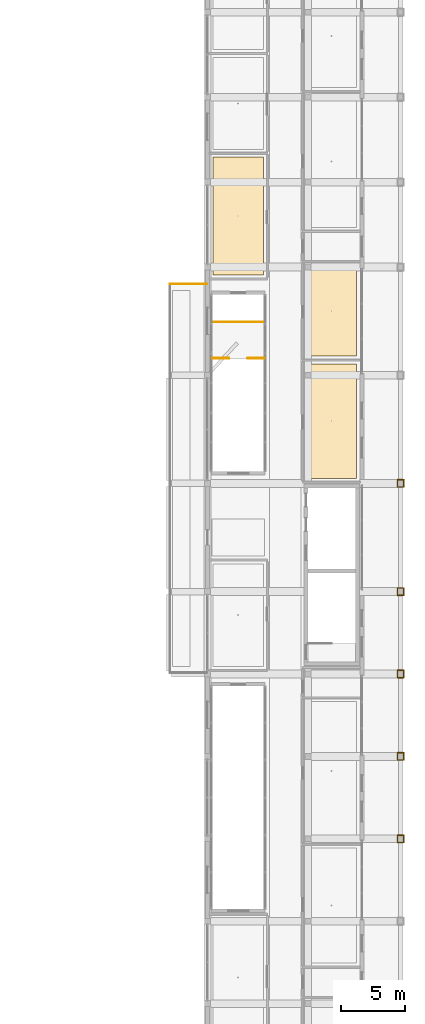
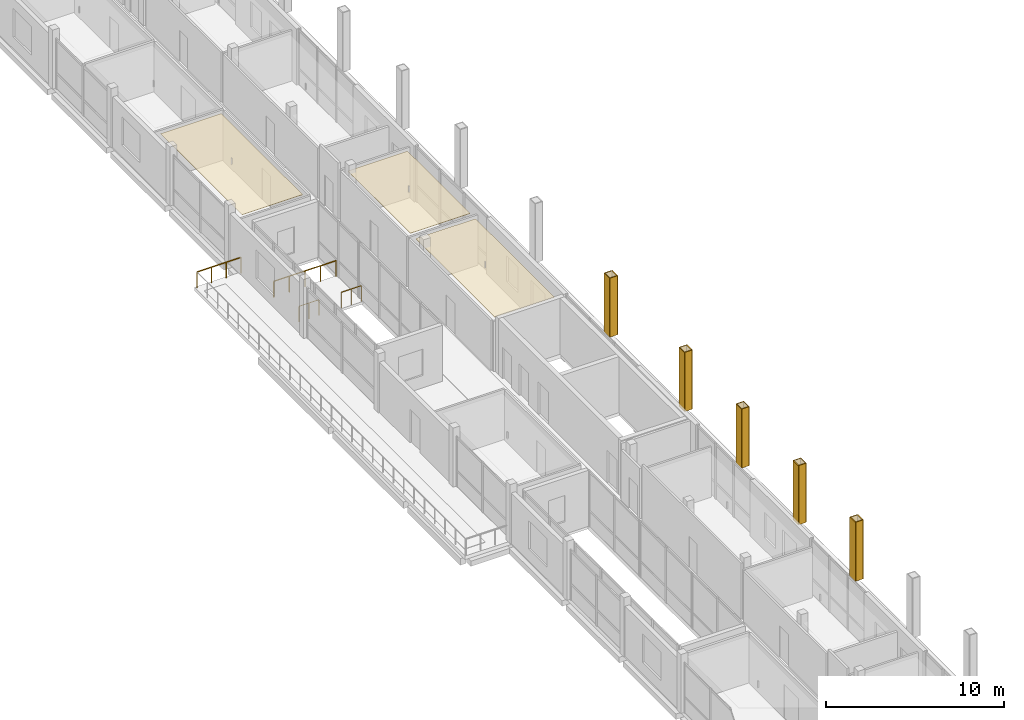
# One storey, part 47 of 48: 23 coverings, 4 railings.
"""IFC4 building model written with IfcOpenShell, lengths in metres."""

import ifcopenshell
import ifcopenshell.guid

model = None  # the IFC model being written
_history = None  # IfcOwnerHistory: only IFC2X3 demands one
_inside = {}  # id of a spatial element -> (the spatial element, [elements in it])
_under = {}  # id of a project, library or spatial element -> (it, [spatial elements below it])
_declared = {}  # id of a project -> (the project, [libraries it declares])
_typed = {}  # id of a type object -> (the type object, [elements of that type])
_made_of = {}  # id of a material, layer set ... -> (it, [elements and type objects made of it])


def new_model(schema):
    """Start an empty IFC model of exactly this schema.

    Asked for "IFC4X3", IfcOpenShell would pick the latest addendum, in which some entities
    have other attributes; the version numbers below select the first issue.
    IFC2X3 requires an IfcOwnerHistory on every rooted entity: one is made here for all.
    """
    global model, _history
    if schema == "IFC4X3":
        model = ifcopenshell.file(schema_version=(4, 3, 0, 0))
    else:
        model = ifcopenshell.file(schema=schema)
    _inside.clear()
    _under.clear()
    _declared.clear()
    _typed.clear()
    _made_of.clear()
    _history = None
    if model.schema == "IFC2X3":
        org = make("IfcOrganization", Name="unknown")
        user = make(
            "IfcPersonAndOrganization",
            ThePerson=make("IfcPerson", FamilyName="unknown"),
            TheOrganization=org,
        )
        app = make(
            "IfcApplication",
            ApplicationDeveloper=org,
            Version="unknown",
            ApplicationFullName="unknown",
            ApplicationIdentifier="unknown",
        )
        _history = make(
            "IfcOwnerHistory",
            OwningUser=user,
            OwningApplication=app,
            ChangeAction="ADDED",
            CreationDate=0,
        )
    return model


def make(cls, **values):
    """One entity of the class cls with the attributes given. An attribute that is None is left unset."""
    return model.create_entity(
        cls, **{name: value for name, value in values.items() if value is not None}
    )


def rooted(cls, **values):
    """An entity with a GlobalId (a new one), such as an element, a storey or a relation."""
    return make(cls, GlobalId=ifcopenshell.guid.new(), OwnerHistory=_history, **values)


def si_unit(unit_type, name, prefix=None):
    """IfcSIUnit, for example si_unit("LENGTHUNIT", "METRE", prefix="MILLI")."""
    return make("IfcSIUnit", UnitType=unit_type, Prefix=prefix, Name=name)


def derived_unit(unit_type, elements):
    """IfcDerivedUnit: a product of units, each with its exponent."""
    return make(
        "IfcDerivedUnit",
        Elements=[
            make("IfcDerivedUnitElement", Unit=unit, Exponent=power)
            for unit, power in elements
        ],
        UnitType=unit_type,
    )


def assignment(units):
    """IfcUnitAssignment: the units of a project."""
    return None if units is None else make("IfcUnitAssignment", Units=units)


def point(xyz):
    """IfcCartesianPoint."""
    return None if xyz is None else make("IfcCartesianPoint", Coordinates=xyz)


def direction(xyz):
    """IfcDirection."""
    return None if xyz is None else make("IfcDirection", DirectionRatios=xyz)


def frame(location, z_axis=None, x_axis=None):
    """IfcAxis2Placement3D, a coordinate frame: its origin and axes. An axis left out is left unset."""
    return make(
        "IfcAxis2Placement3D",
        Location=point(location),
        Axis=direction(z_axis),
        RefDirection=direction(x_axis),
    )


def frame_2d(location, x_axis=None):
    """IfcAxis2Placement2D, a coordinate frame in the plane: its origin and x axis."""
    return make(
        "IfcAxis2Placement2D", Location=point(location), RefDirection=direction(x_axis)
    )


def origin():
    """The frame at (0, 0, 0) with its axes left unset."""
    return frame((0.0, 0.0, 0.0))


def origin_2d():
    """The frame at (0, 0) in the plane with its x axis left unset."""
    return frame_2d((0.0, 0.0))


def place(relative_to, where):
    """IfcLocalPlacement: puts the frame where relative to a parent placement (None: the world)."""
    return make(
        "IfcLocalPlacement", PlacementRelTo=relative_to, RelativePlacement=where
    )


def context(
    kind, dimensions, precision=None, world=None, true_north=None, identifier=None
):
    """IfcGeometricRepresentationContext, for example the 3D "Model" context."""
    return make(
        "IfcGeometricRepresentationContext",
        ContextIdentifier=identifier,
        ContextType=kind,
        CoordinateSpaceDimension=dimensions,
        Precision=precision,
        WorldCoordinateSystem=world,
        TrueNorth=true_north,
    )


def subcontext(parent, identifier, kind, view, scale=None):
    """IfcGeometricRepresentationSubContext, for example "Body" below "Model"."""
    return make(
        "IfcGeometricRepresentationSubContext",
        ContextIdentifier=identifier,
        ContextType=kind,
        ParentContext=parent,
        TargetScale=scale,
        TargetView=view,
    )


def project(units=None, contexts=None):
    """IfcProject with its units and contexts."""
    return rooted(
        "IfcProject",
        Name="project",
        RepresentationContexts=contexts,
        UnitsInContext=assignment(units),
    )


def spatial(cls, under=None, at=None, **own):
    """A site, building, storey or space (cls), placed at a placement, below another one or the project."""
    s = rooted(cls, ObjectPlacement=at, **own)
    if under is not None:
        _under.setdefault(under.id(), (under, []))[1].append(s)
    return s


def polyline(points):
    """IfcPolyline through the points."""
    return make("IfcPolyline", Points=[point(p) for p in points])


def profile(cls, at=None, kind="AREA", **sizes):
    """A parametric profile (cls). Its sizes go by their IFC names, for example OverallWidth=200.0."""
    return make(cls, ProfileType=kind, Position=at, **sizes)


def rectangle(**sizes):
    """IfcRectangleProfileDef."""
    return profile("IfcRectangleProfileDef", **sizes)


def circle(**sizes):
    """IfcCircleProfileDef."""
    return profile("IfcCircleProfileDef", **sizes)


def outline(outer, holes=None, kind="AREA"):
    """IfcArbitraryClosedProfileDef: a profile drawn as a closed curve; with holes, ...WithVoids."""
    if holes is None:
        return make("IfcArbitraryClosedProfileDef", ProfileType=kind, OuterCurve=outer)
    return make(
        "IfcArbitraryProfileDefWithVoids",
        ProfileType=kind,
        OuterCurve=outer,
        InnerCurves=holes,
    )


def extrude(swept, where, along, depth):
    """IfcExtrudedAreaSolid: the profile swept, set in the frame where, extruded along a direction by depth."""
    return make(
        "IfcExtrudedAreaSolid",
        SweptArea=swept,
        Position=where,
        ExtrudedDirection=direction(along),
        Depth=depth,
    )


def shape(context_of_items, identifier, shape_type, items):
    """IfcShapeRepresentation: the items that make up one representation, for example the "Body"."""
    return make(
        "IfcShapeRepresentation",
        ContextOfItems=context_of_items,
        RepresentationIdentifier=identifier,
        RepresentationType=shape_type,
        Items=items,
    )


def material(Name=None, Category=None):
    """IfcMaterial."""
    return make("IfcMaterial", Name=Name, Category=Category)


def layer(
    of_material, thickness, ventilated=None, Name=None, Category=None, Priority=None
):
    """IfcMaterialLayer: one layer of a wall or slab, of a material (None: an air gap)."""
    return make(
        "IfcMaterialLayer",
        Material=of_material,
        LayerThickness=thickness,
        IsVentilated=ventilated,
        Name=Name,
        Category=Category,
        Priority=Priority,
    )


def layer_set(layers, Name=None):
    """IfcMaterialLayerSet."""
    return make("IfcMaterialLayerSet", MaterialLayers=layers, LayerSetName=Name)


def made_of(thing, what):
    """Note that an element or type object is made of a material, layer set ...; save() writes the relation."""
    if what is not None:
        _made_of.setdefault(what.id(), (what, []))[1].append(thing)
    return thing


def type_object(cls, material=None, **own):
    """A type object (cls), such as IfcWallType, which elements share."""
    return made_of(rooted(cls, **own), material)


def element(
    cls,
    number,
    at=None,
    inside=None,
    cuts=None,
    type_object=None,
    material=None,
    context=None,
    identifier="Body",
    shape_type=None,
    held_by="IfcProductDefinitionShape",
    body=None,
    shapes=None,
    **own,
):
    """One element of the class cls, such as IfcWall. Its Tag is "e" and its number.

    at: its placement. inside: the storey or other place that contains it. cuts: it is an
    opening in that element (IfcRelVoidsElement). A single representation is given by context,
    identifier, shape_type and body (its items); several are given by shapes. held_by: the class
    of the entity that holds the representations. save() writes the other relations.
    """
    e = rooted(cls, Tag="e%d" % number, ObjectPlacement=at, **own)
    if body is not None:
        shapes = [shape(context, identifier, shape_type, body)]
    if shapes is not None:
        e.Representation = make(held_by, Representations=shapes)
    if inside is not None:
        _inside.setdefault(inside.id(), (inside, []))[1].append(e)
    if cuts is not None:
        rooted(
            "IfcRelVoidsElement", RelatingBuildingElement=cuts, RelatedOpeningElement=e
        )
    if type_object is not None:
        _typed.setdefault(type_object.id(), (type_object, []))[1].append(e)
    return made_of(e, material)


def aggregate(whole, parts):
    """IfcRelAggregates: a whole, such as a stair, and the parts it consists of."""
    return rooted("IfcRelAggregates", RelatingObject=whole, RelatedObjects=parts)


def save(model, path):
    """Write the relations noted so far, then the file.

    IfcRelAggregates (storeys below a building ...), IfcRelContainedInSpatialStructure (elements
    in a storey), IfcRelDefinesByType, IfcRelAssociatesMaterial and IfcRelDeclares: one each for
    every whole, place, type object, material and project.
    """
    for whole, parts in _under.values():
        aggregate(whole, parts)
    for where, things in _inside.values():
        rooted(
            "IfcRelContainedInSpatialStructure",
            RelatedElements=things,
            RelatingStructure=where,
        )
    for kind, things in _typed.values():
        rooted("IfcRelDefinesByType", RelatedObjects=things, RelatingType=kind)
    for what, things in _made_of.values():
        rooted("IfcRelAssociatesMaterial", RelatedObjects=things, RelatingMaterial=what)
    for by, libraries in _declared.values():
        rooted("IfcRelDeclares", RelatingContext=by, RelatedDefinitions=libraries)
    model.write(path)


model = new_model("IFC4")

# Units and contexts
model_context = context("Model", 3, precision=1e-05, world=origin(), true_north=direction((0.0, 1.0)))
body_context = subcontext(model_context, "Body", "Model", "MODEL_VIEW")
ifc_project = project(units=[si_unit("LENGTHUNIT", "METRE"), si_unit("AREAUNIT", "SQUARE_METRE"), si_unit("VOLUMEUNIT", "CUBIC_METRE"), si_unit("PLANEANGLEUNIT", "RADIAN"), si_unit("MASSUNIT", "GRAM", prefix="KILO"), derived_unit("THERMALTRANSMITTANCEUNIT", [(si_unit("POWERUNIT", "WATT"), 1), (si_unit("LENGTHUNIT", "METRE"), -2), (si_unit("THERMODYNAMICTEMPERATUREUNIT", "KELVIN"), -1)])], contexts=[model_context])

# Site, building, storey
site_placement = place(None, origin())
site = spatial("IfcSite", under=ifc_project, at=site_placement, CompositionType="ELEMENT")
building_placement = place(site_placement, origin())
building = spatial("IfcBuilding", under=site, at=building_placement, Name="Braskholm Square Health Centre", CompositionType="ELEMENT")
storey_placement = place(building_placement, frame((0.0, 0.0, 17.550048828125)))
storey = spatial("IfcBuildingStorey", under=building, at=storey_placement, Name="L05", CompositionType="ELEMENT", Elevation=17.550048828125)

# Coverings
ifc_material_1 = material(Name="Fire-rated gypsum board barrier")
ifc_layer_1 = layer(ifc_material_1, 0.02490234375)
ifc_layer_set_1 = layer_set([ifc_layer_1], Name="Fire-rated gypsum board barrier")
covering_type_1 = type_object("IfcCoveringType", Name="AcousticClinicalCeilingTile", PredefinedType="CEILING", material=ifc_layer_set_1)
covering_1_placement = place(storey_placement, frame((0.0, 0.0, 3.405029296875)))
element("IfcCovering", 1, at=covering_1_placement, inside=storey, type_object=covering_type_1, Name="Acoustic ceiling L05-276", PredefinedType="CEILING", context=body_context, shape_type="SweptSolid", body=[
    extrude(outline(polyline([(156.5, 64.199951171875), (160.3798828125, 64.199951171875), (160.3798828125, 73.080078125), (156.5, 73.080078125), (156.5, 64.199951171875)])), origin(), (0.0, 0.0, 1.0), 0.02490234375),
])
covering_2_placement = place(storey_placement, frame((0.0, 0.0, 3.405029296875)))
element("IfcCovering", 2, at=covering_2_placement, inside=storey, type_object=covering_type_1, Name="Acoustic ceiling L05-277", PredefinedType="CEILING", context=body_context, shape_type="SweptSolid", body=[
    extrude(outline(polyline([(156.5, 73.679931640625), (160.3798828125, 73.679931640625), (160.3798828125, 80.719970703125), (156.5, 80.719970703125), (156.5, 73.679931640625)])), origin(), (0.0, 0.0, 1.0), 0.02490234375),
])
covering_3_placement = place(storey_placement, frame((0.0, 0.0, 3.405029296875)))
element("IfcCovering", 3, at=covering_3_placement, inside=storey, type_object=covering_type_1, Name="Acoustic ceiling L05-288", PredefinedType="CEILING", context=body_context, shape_type="SweptSolid", body=[
    extrude(outline(polyline([(149.219970703125, 79.97998046875), (153.14990234375, 79.97998046875), (153.14990234375, 89.139892578125), (149.219970703125, 89.139892578125), (149.219970703125, 79.97998046875)])), origin(), (0.0, 0.0, 1.0), 0.02490234375),
])

# Railings
ifc_material_2 = material(Name="Dark patinated chevron architectural bronze", Category="aluminium")
railing_type = type_object("IfcRailingType", Name="BronzeChevronGuardrail1100", PredefinedType="GUARDRAIL", material=ifc_material_2)
railing_1_placement = place(storey_placement, frame((149.179931640625, 76.35009765625, 0.0)))
element("IfcRailing", 4, at=railing_1_placement, inside=storey, type_object=railing_type, Name="Atrium stair landing edge guard 16", PredefinedType="GUARDRAIL", context=body_context, shape_type="SweptSolid", body=[
    extrude(circle(Radius=0.02392578125, at=origin_2d()), frame((0.0, 0.0, 1.076171875), z_axis=(1.0, 0.0, 0.0), x_axis=(0.0, 1.0, 0.0)), (0.0, 0.0, 1.0), 4.0400390625),
    extrude(circle(Radius=0.02099609375, at=origin_2d()), origin(), (0.0, 0.0, 1.0), 1.052001953125),
    extrude(circle(Radius=0.02099609375, at=origin_2d()), frame((1.010009765625, 0.0, 0.0)), (0.0, 0.0, 1.0), 1.052001953125),
    extrude(circle(Radius=0.02099609375, at=origin_2d()), frame((2.02001953125, 0.0, 0.0)), (0.0, 0.0, 1.0), 1.052001953125),
    extrude(circle(Radius=0.02099609375, at=origin_2d()), frame((3.030029296875, 0.0, 0.0)), (0.0, 0.0, 1.0), 1.052001953125),
    extrude(circle(Radius=0.02099609375, at=origin_2d()), frame((4.0400390625, 0.0, 0.0)), (0.0, 0.0, 1.0), 1.052001953125),
])
for number, where, name in (
    (5, (149.179931640625, 73.52001953125, 0.0), "Atrium stair landing edge guard 17"),
    (6, (151.919921875, 73.52001953125, 0.0), "Atrium stair landing edge guard 18"),
):
    element("IfcRailing", number, at=place(storey_placement, frame(where)), inside=storey, type_object=railing_type, Name=name, PredefinedType="GUARDRAIL", context=body_context, shape_type="SweptSolid", body=[
        extrude(circle(Radius=0.02392578125, at=origin_2d()), frame((0.0, 0.0, 1.076171875), z_axis=(1.0, 0.0, 0.0), x_axis=(0.0, 1.0, 0.0)), (0.0, 0.0, 1.0), 1.300048828125),
        extrude(circle(Radius=0.02099609375, at=origin_2d()), origin(), (0.0, 0.0, 1.0), 1.052001953125),
        extrude(circle(Radius=0.02099609375, at=origin_2d()), frame((0.64990234375, 0.0, 0.0)), (0.0, 0.0, 1.0), 1.052001953125),
        extrude(circle(Radius=0.02099609375, at=origin_2d()), frame((1.300048828125, 0.0, 0.0)), (0.0, 0.0, 1.0), 1.052001953125),
    ])
railing_2_placement = place(storey_placement, frame((145.89990234375, 79.300048828125, 0.0)))
element("IfcRailing", 7, at=railing_2_placement, inside=storey, type_object=railing_type, Name="Bronze chevron guardrail 0052 L05", PredefinedType="GUARDRAIL", context=body_context, shape_type="SweptSolid", body=[
    extrude(circle(Radius=0.02392578125, at=origin_2d()), frame((0.0, 0.0, 1.076171875), z_axis=(1.0, 0.0, 0.0), x_axis=(0.0, 1.0, 0.0)), (0.0, 0.0, 1.0), 2.85009765625),
    extrude(circle(Radius=0.02099609375, at=origin_2d()), origin(), (0.0, 0.0, 1.0), 1.052001953125),
    extrude(circle(Radius=0.02099609375, at=origin_2d()), frame((0.949951171875, 0.0, 0.0)), (0.0, 0.0, 1.0), 1.052001953125),
    extrude(circle(Radius=0.02099609375, at=origin_2d()), frame((1.900146484375, 0.0, 0.0)), (0.0, 0.0, 1.0), 1.052001953125),
    extrude(circle(Radius=0.02099609375, at=origin_2d()), frame((2.85009765625, 0.0, 0.0)), (0.0, 0.0, 1.0), 1.052001953125),
])

# Coverings
ifc_material_3 = material(Name="Precast concrete C40/50 architectural white", Category="concrete")
ifc_layer_2 = layer(ifc_material_3, 0.054931640625)
ifc_layer_set_2 = layer_set([ifc_layer_2], Name="Precast concrete C40/50 architectural white")
covering_type_2 = type_object("IfcCoveringType", Name="PrecastWhiteColumnCasing", PredefinedType="CLADDING", material=ifc_layer_set_2)
for number, where, z_axis, x_axis, name in (
    (8, (163.56494140625, 36.199951171875, 0.0), (0.0, 0.0, 1.0), (1.0, 0.0, 0.0), "Giant-order white precast column casing 0288"),
    (9, (164.034912109375, 36.199951171875, 0.0), (0.0, 0.0, 1.0), (1.0, 0.0, 0.0), "Giant-order white precast column casing 0289"),
):
    element("IfcCovering", number, at=place(storey_placement, frame(where, z_axis=z_axis, x_axis=x_axis)), inside=storey, type_object=covering_type_2, Name=name, PredefinedType="CLADDING", context=body_context, shape_type="SweptSolid", body=[
        extrude(rectangle(XDim=0.06005859375, YDim=0.6201171875, at=origin_2d()), origin(), (0.0, 0.0, 1.0), 4.050048828125),
    ])
for number, where, z_axis, x_axis, name in (
    (10, (163.800048828125, 35.9150390625, 0.0), (0.0, 0.0, 1.0), (1.0, 0.0, 0.0), "Giant-order white precast column casing 0290"),
    (11, (163.800048828125, 36.485107421875, 0.0), (0.0, 0.0, 1.0), (1.0, 0.0, 0.0), "Giant-order white precast column casing 0291"),
):
    element("IfcCovering", number, at=place(storey_placement, frame(where, z_axis=z_axis, x_axis=x_axis)), inside=storey, type_object=covering_type_2, Name=name, PredefinedType="CLADDING", context=body_context, shape_type="SweptSolid", body=[
        extrude(rectangle(XDim=0.4599609375, YDim=0.06005859375, at=origin_2d()), origin(), (0.0, 0.0, 1.0), 4.050048828125),
    ])
for number, where, z_axis, x_axis, name in (
    (12, (163.56494140625, 42.60009765625, 0.0), (0.0, 0.0, 1.0), (1.0, 0.0, 0.0), "Giant-order white precast column casing 0296"),
    (13, (164.034912109375, 42.60009765625, 0.0), (0.0, 0.0, 1.0), (1.0, 0.0, 0.0), "Giant-order white precast column casing 0297"),
):
    element("IfcCovering", number, at=place(storey_placement, frame(where, z_axis=z_axis, x_axis=x_axis)), inside=storey, type_object=covering_type_2, Name=name, PredefinedType="CLADDING", context=body_context, shape_type="SweptSolid", body=[
        extrude(rectangle(XDim=0.06005859375, YDim=0.6201171875, at=origin_2d()), origin(), (0.0, 0.0, 1.0), 4.050048828125),
    ])
for number, where, z_axis, x_axis, name in (
    (14, (163.800048828125, 42.31494140625, 0.0), (0.0, 0.0, 1.0), (1.0, 0.0, 0.0), "Giant-order white precast column casing 0298"),
    (15, (163.800048828125, 42.885009765625, 0.0), (0.0, 0.0, 1.0), (1.0, 0.0, 0.0), "Giant-order white precast column casing 0299"),
):
    element("IfcCovering", number, at=place(storey_placement, frame(where, z_axis=z_axis, x_axis=x_axis)), inside=storey, type_object=covering_type_2, Name=name, PredefinedType="CLADDING", context=body_context, shape_type="SweptSolid", body=[
        extrude(rectangle(XDim=0.4599609375, YDim=0.06005859375, at=origin_2d()), origin(), (0.0, 0.0, 1.0), 4.050048828125),
    ])
for number, where, z_axis, x_axis, name in (
    (16, (163.56494140625, 49.0, 0.0), (0.0, 0.0, 1.0), (1.0, 0.0, 0.0), "Giant-order white precast column casing 0304"),
    (17, (164.034912109375, 49.0, 0.0), (0.0, 0.0, 1.0), (1.0, 0.0, 0.0), "Giant-order white precast column casing 0305"),
):
    element("IfcCovering", number, at=place(storey_placement, frame(where, z_axis=z_axis, x_axis=x_axis)), inside=storey, type_object=covering_type_2, Name=name, PredefinedType="CLADDING", context=body_context, shape_type="SweptSolid", body=[
        extrude(rectangle(XDim=0.06005859375, YDim=0.6201171875, at=origin_2d()), origin(), (0.0, 0.0, 1.0), 4.050048828125),
    ])
for number, where, z_axis, x_axis, name in (
    (18, (163.800048828125, 48.715087890625, 0.0), (0.0, 0.0, 1.0), (1.0, 0.0, 0.0), "Giant-order white precast column casing 0306"),
    (19, (163.800048828125, 49.284912109375, 0.0), (0.0, 0.0, 1.0), (1.0, 0.0, 0.0), "Giant-order white precast column casing 0307"),
):
    element("IfcCovering", number, at=place(storey_placement, frame(where, z_axis=z_axis, x_axis=x_axis)), inside=storey, type_object=covering_type_2, Name=name, PredefinedType="CLADDING", context=body_context, shape_type="SweptSolid", body=[
        extrude(rectangle(XDim=0.4599609375, YDim=0.06005859375, at=origin_2d()), origin(), (0.0, 0.0, 1.0), 4.050048828125),
    ])
for number, where, z_axis, x_axis, name in (
    (20, (163.56494140625, 55.39990234375, 0.0), (0.0, 0.0, 1.0), (1.0, 0.0, 0.0), "Giant-order white precast column casing 0312"),
    (21, (164.034912109375, 55.39990234375, 0.0), (0.0, 0.0, 1.0), (1.0, 0.0, 0.0), "Giant-order white precast column casing 0313"),
):
    element("IfcCovering", number, at=place(storey_placement, frame(where, z_axis=z_axis, x_axis=x_axis)), inside=storey, type_object=covering_type_2, Name=name, PredefinedType="CLADDING", context=body_context, shape_type="SweptSolid", body=[
        extrude(rectangle(XDim=0.06005859375, YDim=0.6201171875, at=origin_2d()), origin(), (0.0, 0.0, 1.0), 4.050048828125),
    ])
for number, where, z_axis, x_axis, name in (
    (22, (163.800048828125, 55.114990234375, 0.0), (0.0, 0.0, 1.0), (1.0, 0.0, 0.0), "Giant-order white precast column casing 0314"),
    (23, (163.800048828125, 55.68505859375, 0.0), (0.0, 0.0, 1.0), (1.0, 0.0, 0.0), "Giant-order white precast column casing 0315"),
):
    element("IfcCovering", number, at=place(storey_placement, frame(where, z_axis=z_axis, x_axis=x_axis)), inside=storey, type_object=covering_type_2, Name=name, PredefinedType="CLADDING", context=body_context, shape_type="SweptSolid", body=[
        extrude(rectangle(XDim=0.4599609375, YDim=0.06005859375, at=origin_2d()), origin(), (0.0, 0.0, 1.0), 4.050048828125),
    ])
for number, where, z_axis, x_axis, name in (
    (24, (163.56494140625, 63.800048828125, 0.0), (0.0, 0.0, 1.0), (1.0, 0.0, 0.0), "Giant-order white precast column casing 0320"),
    (25, (164.034912109375, 63.800048828125, 0.0), (0.0, 0.0, 1.0), (1.0, 0.0, 0.0), "Giant-order white precast column casing 0321"),
):
    element("IfcCovering", number, at=place(storey_placement, frame(where, z_axis=z_axis, x_axis=x_axis)), inside=storey, type_object=covering_type_2, Name=name, PredefinedType="CLADDING", context=body_context, shape_type="SweptSolid", body=[
        extrude(rectangle(XDim=0.06005859375, YDim=0.6201171875, at=origin_2d()), origin(), (0.0, 0.0, 1.0), 4.050048828125),
    ])
for number, where, z_axis, x_axis, name in (
    (26, (163.800048828125, 63.514892578125, 0.0), (0.0, 0.0, 1.0), (1.0, 0.0, 0.0), "Giant-order white precast column casing 0322"),
    (27, (163.800048828125, 64.0849609375, 0.0), (0.0, 0.0, 1.0), (1.0, 0.0, 0.0), "Giant-order white precast column casing 0323"),
):
    element("IfcCovering", number, at=place(storey_placement, frame(where, z_axis=z_axis, x_axis=x_axis)), inside=storey, type_object=covering_type_2, Name=name, PredefinedType="CLADDING", context=body_context, shape_type="SweptSolid", body=[
        extrude(rectangle(XDim=0.4599609375, YDim=0.06005859375, at=origin_2d()), origin(), (0.0, 0.0, 1.0), 4.050048828125),
    ])

save(model, "model.ifc")
